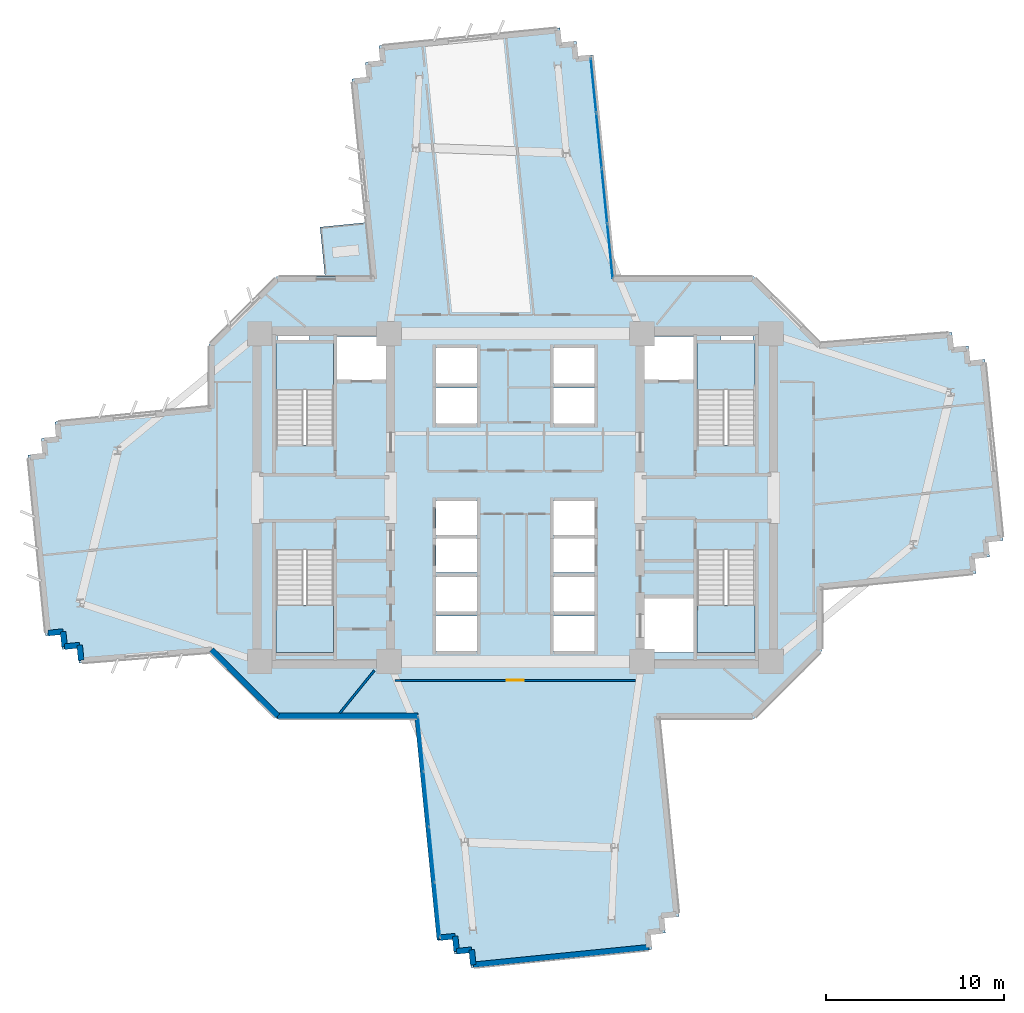
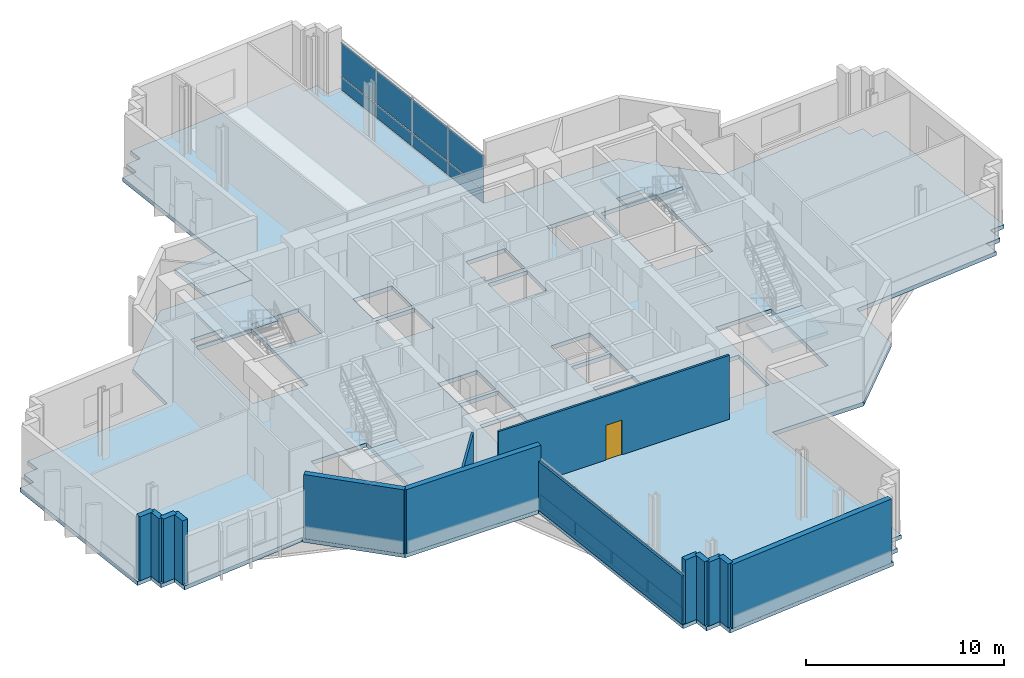
# One storey, part 5 of 14: 16 plates, 14 walls, 6 slabs, 1 door, 1 opening, 6 elements without a shape of their own.
"""IFC4 building model written with IfcOpenShell, lengths in metres."""

from ifc_helpers import new_model, si_unit, direction, frame, frame_2d, origin, origin_2d, place, context, subcontext, project, spatial, polyline, rectangle, outline, extrude, source, transform, mapped, material, layer, layer_set, type_object, element, fill, aggregate, save


model = new_model("IFC4")

# Units and contexts
model_context = context("Model", 3, precision=1e-05, world=origin(), true_north=direction((0.0, 1.0)))
body_context = subcontext(model_context, "Body", "Model", "MODEL_VIEW")
ifc_project = project(units=[si_unit("LENGTHUNIT", "METRE"), si_unit("AREAUNIT", "SQUARE_METRE"), si_unit("VOLUMEUNIT", "CUBIC_METRE"), si_unit("PLANEANGLEUNIT", "RADIAN"), si_unit("MASSUNIT", "GRAM", prefix="KILO")], contexts=[model_context])

# Site, building, storey
site_placement = place(None, origin())
site = spatial("IfcSite", under=ifc_project, at=site_placement, CompositionType="ELEMENT")
building_placement = place(site_placement, origin())
building = spatial("IfcBuilding", under=site, at=building_placement, Name="Zahravan Cultural Tower", CompositionType="ELEMENT")
storey_placement = place(building_placement, frame((0.0, 0.0, 100.5)))
storey = spatial("IfcBuildingStorey", under=building, at=storey_placement, Name="L22", CompositionType="ELEMENT", Elevation=100.5)

# Stair, slab
ifc_material_1 = material(Name="Concrete C45/55", Category="concrete")
stair_type = type_object("IfcStairType", Name="STR-DL-1550-420", PredefinedType="HALF_TURN_STAIR", material=ifc_material_1)
stair_1_placement = place(storey_placement, origin())
stair_1 = element("IfcStair", 1, at=stair_1_placement, inside=storey, type_object=stair_type, Name="L22 West Core North Exit Stair ST-W1", PredefinedType="HALF_TURN_STAIR")
ifc_layer_1 = layer(ifc_material_1, 0.199951171875)
ifc_layer_set_1 = layer_set([ifc_layer_1], Name="Concrete C45/55")
slab_type_1 = type_object("IfcSlabType", Name="SL-STAIR-LND200", PredefinedType="LANDING", material=ifc_layer_set_1)
slab_1_placement = place(storey_placement, frame((0.0, 0.0, 1.89990234375)))
slab_1 = element("IfcSlab", 2, at=slab_1_placement, type_object=slab_type_1, Name="ST-W1 landing 1", PredefinedType="LANDING", context=body_context, shape_type="SweptSolid", body=[
    extrude(outline(polyline([(25.800048828125, 33.030029296875), (25.800048828125, 35.699951171875), (22.550048828125, 35.699951171875), (22.550048828125, 33.030029296875), (25.800048828125, 33.030029296875)])), origin(), (0.0, 0.0, 1.0), 0.2001953125),
])
aggregate(stair_1, [slab_1])

stair_2_placement = place(storey_placement, origin())
stair_2 = element("IfcStair", 3, at=stair_2_placement, inside=storey, type_object=stair_type, Name="L22 West Core South Exit Stair ST-W2", PredefinedType="HALF_TURN_STAIR")
slab_2_placement = place(storey_placement, frame((0.0, 0.0, 1.89990234375)))
slab_2 = element("IfcSlab", 4, at=slab_2_placement, type_object=slab_type_1, Name="ST-W2 landing 1", PredefinedType="LANDING", context=body_context, shape_type="SweptSolid", body=[
    extrude(outline(polyline([(22.550048828125, 20.969970703125), (22.550048828125, 18.300048828125), (25.800048828125, 18.300048828125), (25.800048828125, 20.969970703125), (22.550048828125, 20.969970703125)])), origin(), (0.0, 0.0, 1.0), 0.2001953125),
])
aggregate(stair_2, [slab_2])

stair_3_placement = place(storey_placement, origin())
stair_3 = element("IfcStair", 5, at=stair_3_placement, inside=storey, type_object=stair_type, Name="L22 East Core North Exit Stair ST-E1", PredefinedType="HALF_TURN_STAIR")
slab_3_placement = place(storey_placement, frame((0.0, 0.0, 1.89990234375)))
slab_3 = element("IfcSlab", 6, at=slab_3_placement, type_object=slab_type_1, Name="ST-E1 landing 1", PredefinedType="LANDING", context=body_context, shape_type="SweptSolid", body=[
    extrude(outline(polyline([(49.449951171875, 33.030029296875), (49.449951171875, 35.699951171875), (46.199951171875, 35.699951171875), (46.199951171875, 33.030029296875), (49.449951171875, 33.030029296875)])), origin(), (0.0, 0.0, 1.0), 0.2001953125),
])
aggregate(stair_3, [slab_3])

stair_4_placement = place(storey_placement, origin())
stair_4 = element("IfcStair", 7, at=stair_4_placement, inside=storey, type_object=stair_type, Name="L22 East Core South Exit Stair ST-E2", PredefinedType="HALF_TURN_STAIR")
slab_4_placement = place(storey_placement, frame((0.0, 0.0, 1.89990234375)))
slab_4 = element("IfcSlab", 8, at=slab_4_placement, type_object=slab_type_1, Name="ST-E2 landing 1", PredefinedType="LANDING", context=body_context, shape_type="SweptSolid", body=[
    extrude(outline(polyline([(46.199951171875, 20.969970703125), (46.199951171875, 18.300048828125), (49.449951171875, 18.300048828125), (49.449951171875, 20.969970703125), (46.199951171875, 20.969970703125)])), origin(), (0.0, 0.0, 1.0), 0.2001953125),
])
aggregate(stair_4, [slab_4])

# Slabs
ifc_material_2 = material(Name="Concrete C40/50", Category="concrete")
ifc_layer_2 = layer(ifc_material_2, 0.239990234375)
ifc_layer_set_2 = layer_set([ifc_layer_2], Name="Concrete C40/50")
slab_type_2 = type_object("IfcSlabType", Name="SL-TERR-240", PredefinedType="FLOOR", material=ifc_layer_set_2)
slab_5_placement = place(storey_placement, frame((0.0, 0.0, -0.239990234375)))
element("IfcSlab", 9, at=slab_5_placement, inside=storey, type_object=slab_type_2, Name="L22 Planted Sculpture Terrace NW", PredefinedType="FLOOR", context=body_context, shape_type="SweptSolid", body=[
    extrude(outline(polyline([(25.03759765625, 42.186279296875), (25.315185546875, 39.405029296875), (27.923095703125, 39.405029296875), (27.61962890625, 42.444091796875), (25.03759765625, 42.186279296875)])), origin(), (0.0, 0.0, 1.0), 0.239990234375),
])
ifc_layer_3 = layer(ifc_material_2, 0.25)
ifc_layer_set_3 = layer_set([ifc_layer_3], Name="Concrete C40/50")
slab_type_3 = type_object("IfcSlabType", Name="SL-TYP-250", PredefinedType="FLOOR", material=ifc_layer_set_3)
slab_6_placement = place(storey_placement, frame((0.0, 0.0, -0.25)))
element("IfcSlab", 10, at=slab_6_placement, inside=storey, type_object=slab_type_3, Name="L22 Structural Floor Slab", PredefinedType="FLOOR", context=body_context, shape_type="SweptSolid", body=[
    extrude(outline(polyline([(53.199951171875, 35.550537109375), (53.199951171875, 35.60009765625), (49.39990234375, 39.39990234375), (41.59619140625, 39.39990234375), (40.352783203125, 51.855224609375), (39.507080078125, 51.770751953125), (39.422607421875, 52.61669921875), (38.576904296875, 52.5322265625), (38.492431640625, 53.3779296875), (28.343017578125, 52.364990234375), (28.42724609375, 51.51904296875), (27.58154296875, 51.434814453125), (27.666015625, 50.5888671875), (26.8203125, 50.50439453125), (27.928466796875, 39.39990234375), (22.60009765625, 39.39990234375), (18.800048828125, 35.60009765625), (18.800048828125, 32.116943359375), (10.149658203125, 31.253662109375), (10.234130859375, 30.40771484375), (9.38818359375, 30.323486328125), (9.472900390625, 29.4775390625), (8.626953125, 29.393310546875), (9.639892578125, 19.24365234375), (10.48583984375, 19.327880859375), (10.5703125, 18.482177734375), (11.416015625, 18.566650390625), (11.50048828125, 17.720703125), (18.800048828125, 18.449462890625), (18.800048828125, 18.39990234375), (22.60009765625, 14.60009765625), (30.40380859375, 14.60009765625), (31.647216796875, 2.144775390625), (32.492919921875, 2.229248046875), (32.577392578125, 1.38330078125), (33.423095703125, 1.4677734375), (33.507568359375, 0.6220703125), (43.656982421875, 1.635009765625), (43.57275390625, 2.48095703125), (44.41845703125, 2.565185546875), (44.333984375, 3.4111328125), (45.1796875, 3.49560546875), (44.071533203125, 14.60009765625), (49.39990234375, 14.60009765625), (53.199951171875, 18.39990234375), (53.199951171875, 21.883056640625), (61.850341796875, 22.746337890625), (61.765869140625, 23.59228515625), (62.61181640625, 23.676513671875), (62.527099609375, 24.5224609375), (63.373046875, 24.606689453125), (62.360107421875, 34.75634765625), (61.51416015625, 34.672119140625), (61.4296875, 35.517822265625), (60.583984375, 35.433349609375), (60.49951171875, 36.279296875), (53.199951171875, 35.550537109375)]), holes=[polyline([(22.550048828125, 29.949951171875), (22.550048828125, 35.699951171875), (25.800048828125, 35.699951171875), (25.800048828125, 29.949951171875), (22.550048828125, 29.949951171875)]), polyline([(22.550048828125, 18.300048828125), (22.550048828125, 24.050048828125), (25.800048828125, 24.050048828125), (25.800048828125, 18.300048828125), (22.550048828125, 18.300048828125)]), polyline([(46.199951171875, 29.949951171875), (46.199951171875, 35.699951171875), (49.449951171875, 35.699951171875), (49.449951171875, 29.949951171875), (46.199951171875, 29.949951171875)]), polyline([(46.199951171875, 18.300048828125), (46.199951171875, 24.050048828125), (49.449951171875, 24.050048828125), (49.449951171875, 18.300048828125), (46.199951171875, 18.300048828125)]), polyline([(26.0, 33.60009765625), (26.0, 36.050048828125), (28.75, 36.050048828125), (28.75, 33.60009765625), (26.0, 33.60009765625)]), polyline([(43.25, 33.60009765625), (43.25, 36.050048828125), (46.0, 36.050048828125), (46.0, 33.60009765625), (43.25, 33.60009765625)]), polyline([(43.25, 18.300048828125), (43.25, 21.35009765625), (46.0, 21.35009765625), (46.0, 18.300048828125), (43.25, 18.300048828125)]), polyline([(31.550048828125, 33.39990234375), (31.550048828125, 35.39990234375), (33.85009765625, 35.39990234375), (33.85009765625, 33.39990234375), (31.550048828125, 33.39990234375)]), polyline([(31.550048828125, 31.14990234375), (31.550048828125, 33.14990234375), (33.85009765625, 33.14990234375), (33.85009765625, 31.14990234375), (31.550048828125, 31.14990234375)]), polyline([(38.14990234375, 33.39990234375), (38.14990234375, 35.39990234375), (40.449951171875, 35.39990234375), (40.449951171875, 33.39990234375), (38.14990234375, 33.39990234375)]), polyline([(38.14990234375, 31.14990234375), (38.14990234375, 33.14990234375), (40.449951171875, 33.14990234375), (40.449951171875, 31.14990234375), (38.14990234375, 31.14990234375)]), polyline([(31.550048828125, 20.60009765625), (31.550048828125, 22.550048828125), (33.85009765625, 22.550048828125), (33.85009765625, 20.60009765625), (31.550048828125, 20.60009765625)]), polyline([(31.550048828125, 18.39990234375), (31.550048828125, 20.35009765625), (33.85009765625, 20.35009765625), (33.85009765625, 18.39990234375), (31.550048828125, 18.39990234375)]), polyline([(38.14990234375, 20.60009765625), (38.14990234375, 22.550048828125), (40.449951171875, 22.550048828125), (40.449951171875, 20.60009765625), (38.14990234375, 20.60009765625)]), polyline([(38.14990234375, 18.39990234375), (38.14990234375, 20.35009765625), (40.449951171875, 20.35009765625), (40.449951171875, 18.39990234375), (38.14990234375, 18.39990234375)]), polyline([(31.550048828125, 24.89990234375), (31.550048828125, 26.800048828125), (33.85009765625, 26.800048828125), (33.85009765625, 24.89990234375), (31.550048828125, 24.89990234375)]), polyline([(31.550048828125, 22.800048828125), (31.550048828125, 24.699951171875), (33.85009765625, 24.699951171875), (33.85009765625, 22.800048828125), (31.550048828125, 22.800048828125)]), polyline([(38.14990234375, 24.89990234375), (38.14990234375, 26.800048828125), (40.449951171875, 26.800048828125), (40.449951171875, 24.89990234375), (38.14990234375, 24.89990234375)]), polyline([(38.14990234375, 22.800048828125), (38.14990234375, 24.699951171875), (40.449951171875, 24.699951171875), (40.449951171875, 22.800048828125), (38.14990234375, 22.800048828125)]), polyline([(22.64990234375, 35.800048828125), (22.64990234375, 36.419921875), (24.449951171875, 36.419921875), (24.449951171875, 35.800048828125), (22.64990234375, 35.800048828125)]), polyline([(47.550048828125, 35.800048828125), (47.550048828125, 36.419921875), (49.35009765625, 36.419921875), (49.35009765625, 35.800048828125), (47.550048828125, 35.800048828125)])]), origin(), (0.0, 0.0, 1.0), 0.25),
])

# Curtain wall, plates
ifc_material_3 = material(Name="Anodised bronze-aluminium mullion", Category="aluminium")
ifc_layer_4 = layer(ifc_material_3, 0.179931640625)
ifc_layer_set_4 = layer_set([ifc_layer_4], Name="Anodised bronze-aluminium mullion")
curtain_wall_type_1 = type_object("IfcCurtainWallType", Name="CW-SYS-3", PredefinedType="USERDEFINED", material=ifc_layer_set_4)
curtain_wall_1_placement = place(storey_placement, origin())
curtain_wall_1 = element("IfcCurtainWall", 11, at=curtain_wall_1_placement, inside=storey, type_object=curtain_wall_type_1, Name="L22 Recessed Curtain Wall CW-3.1", ObjectType="RECESSED GLAZING", PredefinedType="USERDEFINED")
ifc_material_4 = material(Name="Low-E solar-control double glazing", Category="glass")
ifc_layer_5 = layer(ifc_material_4, 0.028076171875)
ifc_layer_set_5 = layer_set([ifc_layer_5], Name="Low-E solar-control double glazing")
plate_type_1 = type_object("IfcPlateType", Name="CWP-CW-3", PredefinedType="CURTAIN_PANEL", material=ifc_layer_set_5)
shared_shape_1 = source(origin(), body_context, "Body", "SweptSolid", [
    extrude(rectangle(XDim=3.02099609375, YDim=0.028076171875, at=origin_2d()), origin(), (0.0, 0.0, 1.0), 0.794921875),
])
plate_1_placement = place(storey_placement, frame((40.384521484375, 50.12939453125, 0.070068359375), z_axis=(0.0, 0.0, 1.0), x_axis=(0.099321594883, -0.99505538579, 0.0)))
plate_1 = element("IfcPlate", 12, at=plate_1_placement, type_object=plate_type_1, Name="CW-3 panel 1.1", PredefinedType="CURTAIN_PANEL", context=body_context, shape_type="MappedRepresentation", body=[
    mapped(shared_shape_1, transform((0.0, 0.0, 0.0), x_axis=(1.0, 0.0, 0.0), y_axis=(0.0, 1.0, 0.0), z_axis=(0.0, 0.0, 1.0), scale=1.0)),
])
plate_2_placement = place(storey_placement, frame((41.3125, 40.832763671875, 0.070068359375), z_axis=(0.0, 0.0, 1.0), x_axis=(0.099321594883, -0.99505538579, 0.0)))
plate_2 = element("IfcPlate", 13, at=plate_2_placement, type_object=plate_type_1, Name="CW-3 panel 4.1", PredefinedType="CURTAIN_PANEL", context=body_context, shape_type="MappedRepresentation", body=[
    mapped(shared_shape_1, transform((0.0, 0.0, 0.0), x_axis=(1.0, 0.0, 0.0), y_axis=(0.0, 1.0, 0.0), z_axis=(0.0, 0.0, 1.0), scale=1.0)),
])
shared_shape_2 = source(origin(), body_context, "Body", "SweptSolid", [
    extrude(rectangle(XDim=3.02099609375, YDim=0.028076171875, at=origin_2d()), origin(), (0.0, 0.0, 1.0), 2.06494140625),
])
plate_3_placement = place(storey_placement, frame((40.384521484375, 50.12939453125, 0.93505859375), z_axis=(0.0, 0.0, 1.0), x_axis=(0.099321594883, -0.99505538579, 0.0)))
plate_3 = element("IfcPlate", 14, at=plate_3_placement, type_object=plate_type_1, Name="CW-3 panel 1.2", PredefinedType="CURTAIN_PANEL", context=body_context, shape_type="MappedRepresentation", body=[
    mapped(shared_shape_2, transform((0.0, 0.0, 0.0), x_axis=(1.0, 0.0, 0.0), y_axis=(0.0, 1.0, 0.0), z_axis=(0.0, 0.0, 1.0), scale=1.0)),
])
plate_4_placement = place(storey_placement, frame((41.3125, 40.832763671875, 0.93505859375), z_axis=(0.0, 0.0, 1.0), x_axis=(0.099321594883, -0.99505538579, 0.0)))
plate_4 = element("IfcPlate", 15, at=plate_4_placement, type_object=plate_type_1, Name="CW-3 panel 4.2", PredefinedType="CURTAIN_PANEL", context=body_context, shape_type="MappedRepresentation", body=[
    mapped(shared_shape_2, transform((0.0, 0.0, 0.0), x_axis=(1.0, 0.0, 0.0), y_axis=(0.0, 1.0, 0.0), z_axis=(0.0, 0.0, 1.0), scale=1.0)),
])
shared_shape_3 = source(origin(), body_context, "Body", "SweptSolid", [
    extrude(rectangle(XDim=3.055908203125, YDim=0.028076171875, at=origin_2d()), origin(), (0.0, 0.0, 1.0), 0.794921875),
])
plate_5_placement = place(storey_placement, frame((40.693115234375, 47.0361328125, 0.070068359375), z_axis=(0.0, 0.0, 1.0), x_axis=(0.099321594883, -0.99505538579, 0.0)))
plate_5 = element("IfcPlate", 16, at=plate_5_placement, type_object=plate_type_1, Name="CW-3 panel 2.1", PredefinedType="CURTAIN_PANEL", context=body_context, shape_type="MappedRepresentation", body=[
    mapped(shared_shape_3, transform((0.0, 0.0, 0.0), x_axis=(1.0, 0.0, 0.0), y_axis=(0.0, 1.0, 0.0), z_axis=(0.0, 0.0, 1.0), scale=1.0)),
])
plate_6_placement = place(storey_placement, frame((41.003662109375, 43.92578125, 0.070068359375), z_axis=(0.0, 0.0, 1.0), x_axis=(0.099321594883, -0.99505538579, 0.0)))
plate_6 = element("IfcPlate", 17, at=plate_6_placement, type_object=plate_type_1, Name="CW-3 panel 3.1", PredefinedType="CURTAIN_PANEL", context=body_context, shape_type="MappedRepresentation", body=[
    mapped(shared_shape_3, transform((0.0, 0.0, 0.0), x_axis=(1.0, 0.0, 0.0), y_axis=(0.0, 1.0, 0.0), z_axis=(0.0, 0.0, 1.0), scale=1.0)),
])
shared_shape_4 = source(origin(), body_context, "Body", "SweptSolid", [
    extrude(rectangle(XDim=3.055908203125, YDim=0.028076171875, at=origin_2d()), origin(), (0.0, 0.0, 1.0), 2.06494140625),
])
plate_7_placement = place(storey_placement, frame((40.693115234375, 47.0361328125, 0.93505859375), z_axis=(0.0, 0.0, 1.0), x_axis=(0.099321594883, -0.99505538579, 0.0)))
plate_7 = element("IfcPlate", 18, at=plate_7_placement, type_object=plate_type_1, Name="CW-3 panel 2.2", PredefinedType="CURTAIN_PANEL", context=body_context, shape_type="MappedRepresentation", body=[
    mapped(shared_shape_4, transform((0.0, 0.0, 0.0), x_axis=(1.0, 0.0, 0.0), y_axis=(0.0, 1.0, 0.0), z_axis=(0.0, 0.0, 1.0), scale=1.0)),
])
plate_8_placement = place(storey_placement, frame((41.003662109375, 43.92578125, 0.93505859375), z_axis=(0.0, 0.0, 1.0), x_axis=(0.099321594883, -0.99505538579, 0.0)))
plate_8 = element("IfcPlate", 19, at=plate_8_placement, type_object=plate_type_1, Name="CW-3 panel 3.2", PredefinedType="CURTAIN_PANEL", context=body_context, shape_type="MappedRepresentation", body=[
    mapped(shared_shape_4, transform((0.0, 0.0, 0.0), x_axis=(1.0, 0.0, 0.0), y_axis=(0.0, 1.0, 0.0), z_axis=(0.0, 0.0, 1.0), scale=1.0)),
])
aggregate(curtain_wall_1, [plate_1, plate_3, plate_5, plate_7, plate_6, plate_8, plate_2, plate_4])

ifc_layer_6 = layer(ifc_material_3, 0.1650390625)
ifc_layer_set_6 = layer_set([ifc_layer_6], Name="Anodised bronze-aluminium mullion")
curtain_wall_type_2 = type_object("IfcCurtainWallType", Name="CW-SYS-4", PredefinedType="USERDEFINED", material=ifc_layer_set_6)
curtain_wall_2_placement = place(storey_placement, origin())
curtain_wall_2 = element("IfcCurtainWall", 20, at=curtain_wall_2_placement, inside=storey, type_object=curtain_wall_type_2, Name="L22 Recessed Curtain Wall CW-4.2", ObjectType="RECESSED GLAZING", PredefinedType="USERDEFINED")
ifc_layer_7 = layer(ifc_material_4, 0.02587890625)
ifc_layer_set_7 = layer_set([ifc_layer_7], Name="Low-E solar-control double glazing")
plate_type_2 = type_object("IfcPlateType", Name="CWP-CW-4", PredefinedType="CURTAIN_PANEL", material=ifc_layer_set_7)
shared_shape_5 = source(origin(), body_context, "Body", "SweptSolid", [
    extrude(rectangle(XDim=3.028564453125, YDim=0.02587890625, at=origin_2d()), origin(), (0.0, 0.0, 1.0), 0.802490234375),
])
plate_9_placement = place(storey_placement, frame((31.61572265625, 3.869384765625, 0.06494140625), z_axis=(0.0, 0.0, 1.0), x_axis=(-0.099321594883, 0.99505538579, 0.0)))
plate_9 = element("IfcPlate", 21, at=plate_9_placement, type_object=plate_type_2, Name="CW-4 panel 1.1", PredefinedType="CURTAIN_PANEL", context=body_context, shape_type="MappedRepresentation", body=[
    mapped(shared_shape_5, transform((0.0, 0.0, 0.0), x_axis=(1.0, 0.0, 0.0), y_axis=(0.0, 1.0, 0.0), z_axis=(0.0, 0.0, 1.0), scale=1.0)),
])
plate_10_placement = place(storey_placement, frame((30.6875, 13.168701171875, 0.06494140625), z_axis=(0.0, 0.0, 1.0), x_axis=(-0.099321594883, 0.99505538579, 0.0)))
plate_10 = element("IfcPlate", 22, at=plate_10_placement, type_object=plate_type_2, Name="CW-4 panel 4.1", PredefinedType="CURTAIN_PANEL", context=body_context, shape_type="MappedRepresentation", body=[
    mapped(shared_shape_5, transform((0.0, 0.0, 0.0), x_axis=(1.0, 0.0, 0.0), y_axis=(0.0, 1.0, 0.0), z_axis=(0.0, 0.0, 1.0), scale=1.0)),
])
shared_shape_6 = source(origin(), body_context, "Body", "SweptSolid", [
    extrude(rectangle(XDim=3.028564453125, YDim=0.02587890625, at=origin_2d()), origin(), (0.0, 0.0, 1.0), 2.072509765625),
])
plate_11_placement = place(storey_placement, frame((31.61572265625, 3.869384765625, 0.9326171875), z_axis=(0.0, 0.0, 1.0), x_axis=(-0.099321594883, 0.99505538579, 0.0)))
plate_11 = element("IfcPlate", 23, at=plate_11_placement, type_object=plate_type_2, Name="CW-4 panel 1.2", PredefinedType="CURTAIN_PANEL", context=body_context, shape_type="MappedRepresentation", body=[
    mapped(shared_shape_6, transform((0.0, 0.0, 0.0), x_axis=(1.0, 0.0, 0.0), y_axis=(0.0, 1.0, 0.0), z_axis=(0.0, 0.0, 1.0), scale=1.0)),
])
plate_12_placement = place(storey_placement, frame((30.6875, 13.168701171875, 0.9326171875), z_axis=(0.0, 0.0, 1.0), x_axis=(-0.099321594883, 0.99505538579, 0.0)))
plate_12 = element("IfcPlate", 24, at=plate_12_placement, type_object=plate_type_2, Name="CW-4 panel 4.2", PredefinedType="CURTAIN_PANEL", context=body_context, shape_type="MappedRepresentation", body=[
    mapped(shared_shape_6, transform((0.0, 0.0, 0.0), x_axis=(1.0, 0.0, 0.0), y_axis=(0.0, 1.0, 0.0), z_axis=(0.0, 0.0, 1.0), scale=1.0)),
])
shared_shape_7 = source(origin(), body_context, "Body", "SweptSolid", [
    extrude(rectangle(XDim=3.06103515625, YDim=0.02587890625, at=origin_2d()), origin(), (0.0, 0.0, 1.0), 0.802490234375),
])
plate_13_placement = place(storey_placement, frame((31.306884765625, 6.9638671875, 0.06494140625), z_axis=(0.0, 0.0, 1.0), x_axis=(-0.099321594883, 0.99505538579, 0.0)))
plate_13 = element("IfcPlate", 25, at=plate_13_placement, type_object=plate_type_2, Name="CW-4 panel 2.1", PredefinedType="CURTAIN_PANEL", context=body_context, shape_type="MappedRepresentation", body=[
    mapped(shared_shape_7, transform((0.0, 0.0, 0.0), x_axis=(1.0, 0.0, 0.0), y_axis=(0.0, 1.0, 0.0), z_axis=(0.0, 0.0, 1.0), scale=1.0)),
])
plate_14_placement = place(storey_placement, frame((30.996337890625, 10.07421875, 0.06494140625), z_axis=(0.0, 0.0, 1.0), x_axis=(-0.099321594883, 0.99505538579, 0.0)))
plate_14 = element("IfcPlate", 26, at=plate_14_placement, type_object=plate_type_2, Name="CW-4 panel 3.1", PredefinedType="CURTAIN_PANEL", context=body_context, shape_type="MappedRepresentation", body=[
    mapped(shared_shape_7, transform((0.0, 0.0, 0.0), x_axis=(1.0, 0.0, 0.0), y_axis=(0.0, 1.0, 0.0), z_axis=(0.0, 0.0, 1.0), scale=1.0)),
])
shared_shape_8 = source(origin(), body_context, "Body", "SweptSolid", [
    extrude(rectangle(XDim=3.06103515625, YDim=0.02587890625, at=origin_2d()), origin(), (0.0, 0.0, 1.0), 2.072509765625),
])
plate_15_placement = place(storey_placement, frame((31.306884765625, 6.9638671875, 0.9326171875), z_axis=(0.0, 0.0, 1.0), x_axis=(-0.099321594883, 0.99505538579, 0.0)))
plate_15 = element("IfcPlate", 27, at=plate_15_placement, type_object=plate_type_2, Name="CW-4 panel 2.2", PredefinedType="CURTAIN_PANEL", context=body_context, shape_type="MappedRepresentation", body=[
    mapped(shared_shape_8, transform((0.0, 0.0, 0.0), x_axis=(1.0, 0.0, 0.0), y_axis=(0.0, 1.0, 0.0), z_axis=(0.0, 0.0, 1.0), scale=1.0)),
])
plate_16_placement = place(storey_placement, frame((30.996337890625, 10.07421875, 0.9326171875), z_axis=(0.0, 0.0, 1.0), x_axis=(-0.099321594883, 0.99505538579, 0.0)))
plate_16 = element("IfcPlate", 28, at=plate_16_placement, type_object=plate_type_2, Name="CW-4 panel 3.2", PredefinedType="CURTAIN_PANEL", context=body_context, shape_type="MappedRepresentation", body=[
    mapped(shared_shape_8, transform((0.0, 0.0, 0.0), x_axis=(1.0, 0.0, 0.0), y_axis=(0.0, 1.0, 0.0), z_axis=(0.0, 0.0, 1.0), scale=1.0)),
])
aggregate(curtain_wall_2, [plate_9, plate_11, plate_13, plate_15, plate_14, plate_16, plate_10, plate_12])

# Wall, opening, door
ifc_material_5 = material(Name="Gypsum plasterboard partition")
ifc_layer_8 = layer(ifc_material_5, 0.125)
ifc_layer_set_8 = layer_set([ifc_layer_8], Name="Gypsum plasterboard partition")
wall_type_1 = type_object("IfcWallType", Name="W-PART-125", PredefinedType="PARTITIONING", material=ifc_layer_set_8)
wall_1_placement = place(storey_placement, frame((29.255859375, 16.739990234375, 0.0), z_axis=(0.0, 0.0, 1.0), x_axis=(1.0, 0.0, 0.0)))
wall_1 = element("IfcWall", 29, at=wall_1_placement, inside=storey, type_object=wall_type_1, Name="L22 Interior Wall 114", PredefinedType="PARTITIONING", context=body_context, shape_type="SweptSolid", body=[
    extrude(rectangle(XDim=13.48828125, YDim=0.125, at=frame_2d((6.744140625, 0.0))), origin(), (0.0, 0.0, 1.0), 3.949951171875),
])
opening_placement = place(wall_1_placement, frame((6.26904296875, 0.0, 0.0)))
opening = element("IfcOpeningElement", 30, at=opening_placement, cuts=wall_1, Name="Opening D-L22-29", PredefinedType="OPENING", context=body_context, shape_type="SweptSolid", body=[
    extrude(rectangle(XDim=0.949951171875, YDim=2.14990234375, at=frame_2d((0.47509765625, 1.074951171875))), frame((0.0, 0.072509765625, 0.0), z_axis=(0.0, -1.0, 0.0), x_axis=(1.0, 0.0, 0.0)), (0.0, 0.0, 1.0), 0.14501953125),
])
door_type = type_object("IfcDoorType", Name="DR-ROOM-950", OperationType="NOTDEFINED", PredefinedType="DOOR", material=ifc_material_3)
shared_shape_9 = source(origin(), body_context, "Body", "SweptSolid", [
    extrude(rectangle(XDim=0.949951171875, YDim=2.14990234375, at=frame_2d((0.47509765625, 1.074951171875))), frame((0.0, 0.02490234375, 0.0), z_axis=(0.0, -1.0, 0.0), x_axis=(1.0, 0.0, 0.0)), (0.0, 0.0, 1.0), 0.050048828125),
])
door_placement = place(opening_placement, origin())
door = element("IfcDoor", 31, at=door_placement, inside=storey, type_object=door_type, Name="L22 Door D-L22-29", OperationType="SINGLE_SWING_RIGHT", OverallHeight=2.14990234375, OverallWidth=0.949951171875, PredefinedType="DOOR", context=body_context, shape_type="MappedRepresentation", body=[
    mapped(shared_shape_9, transform((0.0, 0.0, 0.0), x_axis=(1.0, 0.0, 0.0), y_axis=(0.0, 1.0, 0.0), z_axis=(0.0, 0.0, 1.0), scale=1.0)),
])
fill(opening, door)

# Walls
ifc_material_6 = material(Name="Precast concrete C40/50", Category="concrete")
ifc_layer_9 = layer(ifc_material_6, 0.320068359375)
ifc_layer_set_9 = layer_set([ifc_layer_9], Name="Precast concrete C40/50")
wall_type_2 = type_object("IfcWallType", Name="EW-TC-320", PredefinedType="SOLIDWALL", material=ifc_layer_set_9)
shared_shape_10 = source(origin(), body_context, "Body", "SweptSolid", [
    extrude(rectangle(XDim=0.849853515625, YDim=0.320068359375, at=frame_2d((0.4248046875, 0.0))), origin(), (0.0, 0.0, 1.0), 3.949951171875),
])
for number, where, z_axis, x_axis, name in (
    (32, (11.6259765625, 17.8740234375, 0.0), (0.0, 0.0, 1.0), (-0.09938995433, 0.995048560111, 0.0), "L22 Exterior Masonry Frame Wall 02"),
    (33, (10.695556640625, 18.635498046875, 0.0), (0.0, 0.0, 1.0), (-0.09938995433, 0.995048560111, 0.0), "L22 Exterior Masonry Frame Wall 04"),
    (34, (10.611083984375, 19.481201171875, 0.0), (0.0, 0.0, 1.0), (-0.995048560111, -0.09938995433, 0.0), "L22 Exterior Masonry Frame Wall 05"),
    (35, (32.70263671875, 1.53662109375, 0.0), (0.0, 0.0, 1.0), (-0.099105525559, 0.995076929088, 0.0), "L22 Exterior Masonry Frame Wall 49"),
):
    element("IfcWall", number, at=place(storey_placement, frame(where, z_axis=z_axis, x_axis=x_axis)), inside=storey, type_object=wall_type_2, Name=name, PredefinedType="SOLIDWALL", context=body_context, shape_type="MappedRepresentation", body=[
        mapped(shared_shape_10, transform((0.0, 0.0, 0.0), x_axis=(1.0, 0.0, 0.0), y_axis=(0.0, 1.0, 0.0), z_axis=(0.0, 0.0, 1.0), scale=1.0)),
    ])
shared_shape_11 = source(origin(), body_context, "Body", "SweptSolid", [
    extrude(rectangle(XDim=0.85009765625, YDim=0.320068359375, at=frame_2d((0.425048828125, 0.0))), origin(), (0.0, 0.0, 1.0), 3.949951171875),
])
for number, where, z_axis, x_axis, name in (
    (36, (11.54150390625, 18.7197265625, 0.0), (0.0, 0.0, 1.0), (-0.995079749343, -0.09907720448, 0.0), "L22 Exterior Masonry Frame Wall 03"),
    (37, (33.6328125, 0.775146484375, 0.0), (0.0, 0.0, 1.0), (-0.09907720448, 0.995079749343, 0.0), "L22 Exterior Masonry Frame Wall 47"),
    (38, (33.548583984375, 1.62109375, 0.0), (0.0, 0.0, 1.0), (-0.995051396496, -0.099361553589, 0.0), "L22 Exterior Masonry Frame Wall 48"),
    (39, (32.618408203125, 2.38232421875, 0.0), (0.0, 0.0, 1.0), (-0.995079749343, -0.09907720448, 0.0), "L22 Exterior Masonry Frame Wall 50"),
):
    element("IfcWall", number, at=place(storey_placement, frame(where, z_axis=z_axis, x_axis=x_axis)), inside=storey, type_object=wall_type_2, Name=name, PredefinedType="SOLIDWALL", context=body_context, shape_type="MappedRepresentation", body=[
        mapped(shared_shape_11, transform((0.0, 0.0, 0.0), x_axis=(1.0, 0.0, 0.0), y_axis=(0.0, 1.0, 0.0), z_axis=(0.0, 0.0, 1.0), scale=1.0)),
    ])
shared_shape_12 = source(origin(), body_context, "Body", "SweptSolid", [
    extrude(rectangle(XDim=5.258056640625, YDim=0.320068359375, at=frame_2d((2.62890625, 0.0))), origin(), (0.0, 0.0, 1.0), 3.949951171875),
])
wall_2_placement = place(storey_placement, frame((22.657958984375, 14.739990234375, 0.0), z_axis=(0.0, 0.0, 1.0), x_axis=(-0.707106781187, 0.707106781187, 0.0)))
element("IfcWall", 40, at=wall_2_placement, inside=storey, type_object=wall_type_2, Name="L22 Exterior Masonry Frame Wall 52", PredefinedType="SOLIDWALL", context=body_context, shape_type="MappedRepresentation", body=[
    mapped(shared_shape_12, transform((0.0, 0.0, 0.0), x_axis=(1.0, 0.0, 0.0), y_axis=(0.0, 1.0, 0.0), z_axis=(0.0, 0.0, 1.0), scale=1.0)),
])
shared_shape_13 = source(origin(), body_context, "Body", "SweptSolid", [
    extrude(rectangle(XDim=9.920166015625, YDim=0.320068359375, at=frame_2d((4.9599609375, 0.0))), origin(), (0.0, 0.0, 1.0), 3.949951171875),
])
wall_3_placement = place(storey_placement, frame((43.50390625, 1.760498046875, 0.0), z_axis=(0.0, 0.0, 1.0), x_axis=(-0.995054718915, -0.09932827576, 0.0)))
element("IfcWall", 41, at=wall_3_placement, inside=storey, type_object=wall_type_2, Name="L22 Exterior Masonry Frame Wall 46", PredefinedType="SOLIDWALL", context=body_context, shape_type="MappedRepresentation", body=[
    mapped(shared_shape_13, transform((0.0, 0.0, 0.0), x_axis=(1.0, 0.0, 0.0), y_axis=(0.0, 1.0, 0.0), z_axis=(0.0, 0.0, 1.0), scale=1.0)),
])
shared_shape_14 = source(origin(), body_context, "Body", "SweptSolid", [
    extrude(rectangle(XDim=7.87255859375, YDim=0.320068359375, at=frame_2d((3.936279296875, 0.0))), origin(), (0.0, 0.0, 1.0), 3.949951171875),
])
wall_4_placement = place(storey_placement, frame((30.530517578125, 14.739990234375, 0.0), z_axis=(0.0, 0.0, 1.0), x_axis=(-1.0, 0.0, 0.0)))
element("IfcWall", 42, at=wall_4_placement, inside=storey, type_object=wall_type_2, Name="L22 Exterior Masonry Frame Wall 51", PredefinedType="SOLIDWALL", context=body_context, shape_type="MappedRepresentation", body=[
    mapped(shared_shape_14, transform((0.0, 0.0, 0.0), x_axis=(1.0, 0.0, 0.0), y_axis=(0.0, 1.0, 0.0), z_axis=(0.0, 0.0, 1.0), scale=1.0)),
])
shared_shape_15 = source(origin(), body_context, "Body", "SweptSolid", [
    extrude(rectangle(XDim=3.072021484375, YDim=0.125, at=frame_2d((1.5361328125, 0.0))), origin(), (0.0, 0.0, 1.0), 3.949951171875),
])
wall_5_placement = place(storey_placement, frame((28.080078125, 17.291259765625, 0.0), z_axis=(0.0, 0.0, 1.0), x_axis=(-0.629760486176, -0.776789373029, 0.0)))
element("IfcWall", 43, at=wall_5_placement, inside=storey, type_object=wall_type_1, Name="L22 Interior Wall 106", PredefinedType="PARTITIONING", context=body_context, shape_type="MappedRepresentation", body=[
    mapped(shared_shape_15, transform((0.0, 0.0, 0.0), x_axis=(1.0, 0.0, 0.0), y_axis=(0.0, 1.0, 0.0), z_axis=(0.0, 0.0, 1.0), scale=1.0)),
])
shared_shape_16 = source(origin(), body_context, "Body", "SweptSolid", [
    extrude(rectangle(XDim=12.470458984375, YDim=0.125, at=frame_2d((6.2353515625, 0.0))), origin(), (0.0, 0.0, 1.0), 3.010009765625),
])
wall_6_placement = place(storey_placement, frame((31.6650390625, 2.16650390625, 0.0), z_axis=(0.0, 0.0, 1.0), x_axis=(-0.099590945301, 0.99502846372, 0.0)))
element("IfcWall", 44, at=wall_6_placement, inside=storey, type_object=wall_type_1, Name="L22 Interior Wall 115", PredefinedType="PARTITIONING", context=body_context, shape_type="MappedRepresentation", body=[
    mapped(shared_shape_16, transform((0.0, 0.0, 0.0), x_axis=(1.0, 0.0, 0.0), y_axis=(0.0, 1.0, 0.0), z_axis=(0.0, 0.0, 1.0), scale=1.0)),
])

save(model, "model.ifc")
